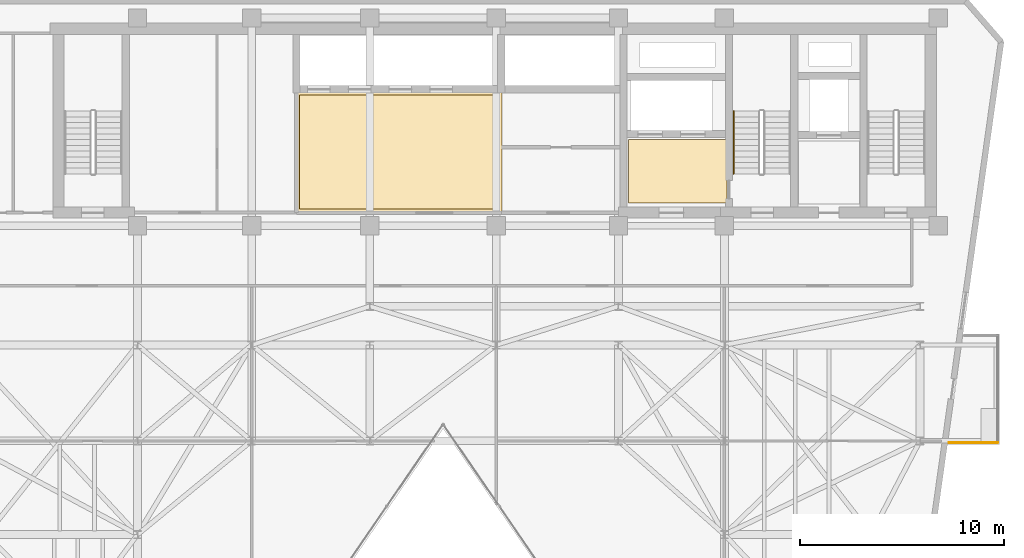
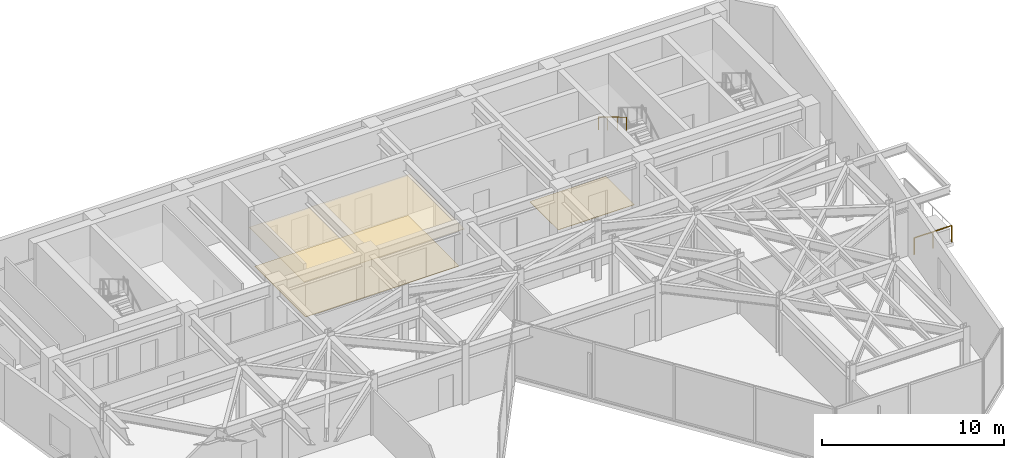
# One storey, part 20 of 21: 3 coverings, 2 railings.
"""IFC4 building model written with IfcOpenShell, lengths in metres."""

from ifc_helpers import new_model, si_unit, direction, frame, origin, origin_2d, place, context, subcontext, project, spatial, polyline, circle, outline, extrude, material, layer, layer_set, type_object, element, save


model = new_model("IFC4")

# Units and contexts
model_context = context("Model", 3, precision=1e-05, world=origin(), true_north=direction((0.0, 1.0)))
body_context = subcontext(model_context, "Body", "Model", "MODEL_VIEW")
ifc_project = project(units=[si_unit("LENGTHUNIT", "METRE"), si_unit("AREAUNIT", "SQUARE_METRE"), si_unit("VOLUMEUNIT", "CUBIC_METRE"), si_unit("PLANEANGLEUNIT", "RADIAN"), si_unit("MASSUNIT", "GRAM", prefix="KILO")], contexts=[model_context])

# Site, building, storey
site_placement = place(None, origin())
site = spatial("IfcSite", under=ifc_project, at=site_placement, CompositionType="ELEMENT")
building_placement = place(site_placement, origin())
building = spatial("IfcBuilding", under=site, at=building_placement, Name="Kravanh Interchange Tower", CompositionType="ELEMENT")
storey_placement = place(building_placement, frame((0.0, 0.0, 208.5)))
storey = spatial("IfcBuildingStorey", under=building, at=storey_placement, Name="L50", CompositionType="ELEMENT", Elevation=208.5)

# Coverings
ifc_material_1 = material(Name="Cementitious Terrazzo Tile")
ifc_layer_1 = layer(ifc_material_1, 0.030029296875)
ifc_layer_set_1 = layer_set([ifc_layer_1], Name="Honed Terrazzo Lobby Flooring 30mm")
covering_type_1 = type_object("IfcCoveringType", Name="Honed Terrazzo Lobby Flooring 30mm", PredefinedType="FLOORING", material=ifc_layer_set_1)
covering_1_placement = place(storey_placement, origin())
element("IfcCovering", 1, at=covering_1_placement, inside=storey, type_object=covering_type_1, Name="L50 Firefighting Lobby Floor Finish", PredefinedType="FLOORING", context=body_context, shape_type="SweptSolid", body=[
    extrude(outline(polyline([(56.1201171875, 38.4599609375), (51.300048828125, 38.4599609375), (51.300048828125, 41.580078125), (56.1201171875, 41.580078125), (56.1201171875, 38.4599609375)])), origin(), (0.0, 0.0, 1.0), 0.030029296875),
])
covering_2_placement = place(storey_placement, origin())
element("IfcCovering", 2, at=covering_2_placement, inside=storey, type_object=covering_type_1, Name="L50 Mid-Rise Lift Lobby Floor Finish", PredefinedType="FLOORING", context=body_context, shape_type="SweptSolid", body=[
    extrude(outline(polyline([(35.159912109375, 43.77001953125), (44.8701171875, 43.77001953125), (44.8701171875, 38.179931640625), (35.159912109375, 38.179931640625), (35.159912109375, 43.77001953125)])), origin(), (0.0, 0.0, 1.0), 0.030029296875),
])
ifc_material_2 = material(Name="Acoustic Mineral Fibre Tile on Aluminium Grid", Category="aluminium")
ifc_layer_2 = layer(ifc_material_2, 0.02490234375)
ifc_layer_set_2 = layer_set([ifc_layer_2], Name="Perforated Acoustic Mineral Ceiling 25mm")
covering_type_2 = type_object("IfcCoveringType", Name="Perforated Acoustic Mineral Ceiling 25mm", PredefinedType="CEILING", material=ifc_layer_set_2)
covering_3_placement = place(storey_placement, frame((0.0, 0.0, 2.550048828125)))
element("IfcCovering", 3, at=covering_3_placement, inside=storey, type_object=covering_type_2, Name="L50 Mid-Rise Lift Lobby Suspended Ceiling", PredefinedType="CEILING", context=body_context, shape_type="SweptSolid", body=[
    extrude(outline(polyline([(45.090087890625, 37.9599609375), (34.93994140625, 37.9599609375), (34.93994140625, 43.989990234375), (45.090087890625, 43.989990234375), (45.090087890625, 37.9599609375)])), origin(), (0.0, 0.0, 1.0), 0.02490234375),
])

# Railings
ifc_material_3 = material(Name="Stainless Steel 316", Category="steel")
ifc_layer_3 = layer(ifc_material_3, 0.06005859375)
ifc_layer_set_3 = layer_set([ifc_layer_3], Name="Perimeter Balcony and Terrace Guardrail Stainless 316 1120mm")
railing_type_1 = type_object("IfcRailingType", Name="Perimeter Balcony and Terrace Guardrail Stainless 316 1120mm", PredefinedType="GUARDRAIL", material=ifc_layer_set_3)
railing_1_placement = place(storey_placement, frame((69.409912109375, 26.7099609375, 0.0)))
element("IfcRailing", 4, at=railing_1_placement, inside=storey, type_object=railing_type_1, Name="L50 E Balcony Guardrail 2", PredefinedType="GUARDRAIL", context=body_context, shape_type="SweptSolid", body=[
    extrude(circle(Radius=0.02392578125, at=origin_2d()), frame((0.0, 0.0, 1.09619140625), z_axis=(-1.0, 0.0, 0.0), x_axis=(0.0, -1.0, 0.0)), (0.0, 0.0, 1.0), 2.37646484375),
    extrude(circle(Radius=0.02099609375, at=origin_2d()), origin(), (0.0, 0.0, 1.0), 1.072021484375),
    extrude(circle(Radius=0.02099609375, at=origin_2d()), frame((-1.188232421875, 0.0, 0.0)), (0.0, 0.0, 1.0), 1.072021484375),
    extrude(circle(Radius=0.02099609375, at=origin_2d()), frame((-2.37646484375, 0.0, 0.0)), (0.0, 0.0, 1.0), 1.072021484375),
])
ifc_material_4 = material(Name="Stainless Steel 304", Category="steel")
ifc_layer_4 = layer(ifc_material_4, 0.044921875)
ifc_layer_set_4 = layer_set([ifc_layer_4], Name="Tubular Stair Handrail Stainless 304 900mm")
railing_type_2 = type_object("IfcRailingType", Name="Tubular Stair Handrail Stainless 304 900mm", PredefinedType="HANDRAIL", material=ifc_layer_set_4)
railing_2_placement = place(storey_placement, frame((56.449951171875, 42.97998046875, 2.166748046875)))
element("IfcRailing", 5, at=railing_2_placement, inside=storey, type_object=railing_type_2, Name="L50 ST2 stair handrail 2", PredefinedType="HANDRAIL", context=body_context, shape_type="SweptSolid", body=[
    extrude(circle(Radius=0.02392578125, at=origin_2d()), frame((0.0, 0.0, 0.8759765625), z_axis=(0.0, -0.859308565015, 0.511457515432), x_axis=(1.0, 0.0, 0.0)), (0.0, 0.0, 1.0), 3.58447265625),
    extrude(circle(Radius=0.02099609375, at=origin_2d()), origin(), (0.0, 0.0, 1.0), 0.851806640625),
    extrude(circle(Radius=0.02099609375, at=origin_2d()), frame((0.0, -1.026611328125, 0.611083984375)), (0.0, 0.0, 1.0), 0.851806640625),
    extrude(circle(Radius=0.02099609375, at=origin_2d()), frame((0.0, -2.053466796875, 1.22216796875)), (0.0, 0.0, 1.0), 0.851806640625),
    extrude(circle(Radius=0.02099609375, at=origin_2d()), frame((0.0, -3.080078125, 1.833251953125)), (0.0, 0.0, 1.0), 0.851806640625),
])

save(model, "model.ifc")
